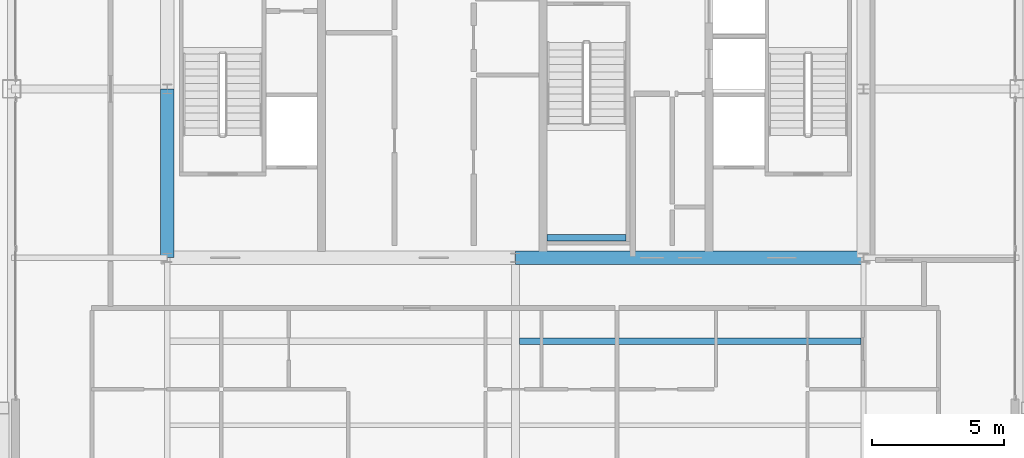
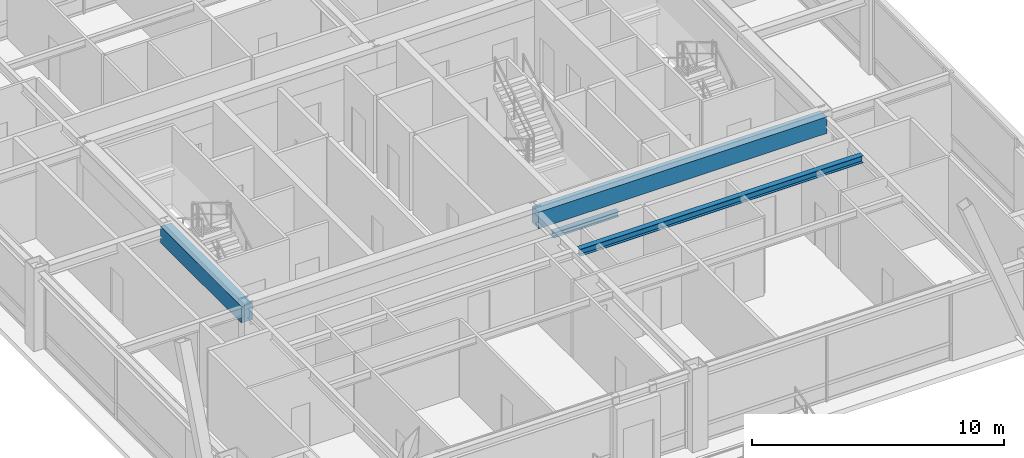
# One storey, part 10 of 35: 4 beams.
"""IFC4 building model written with IfcOpenShell, lengths in metres."""

from ifc_helpers import new_model, si_unit, direction, frame, origin, origin_2d, place, context, subcontext, project, spatial, rectangle, i_section, extrude, source, transform, mapped, material, material_profile, profile_set, type_object, element, save


model = new_model("IFC4")

# Units and contexts
model_context = context("Model", 3, precision=1e-05, world=origin(), true_north=direction((0.0, 1.0)))
body_context = subcontext(model_context, "Body", "Model", "MODEL_VIEW")
ifc_project = project(units=[si_unit("LENGTHUNIT", "METRE"), si_unit("AREAUNIT", "SQUARE_METRE"), si_unit("VOLUMEUNIT", "CUBIC_METRE"), si_unit("PLANEANGLEUNIT", "RADIAN"), si_unit("MASSUNIT", "GRAM", prefix="KILO"), si_unit("THERMODYNAMICTEMPERATUREUNIT", "KELVIN"), si_unit("POWERUNIT", "WATT")], contexts=[model_context])

# Site, building, storey
site_placement = place(None, origin())
site = spatial("IfcSite", under=ifc_project, at=site_placement, CompositionType="ELEMENT")
building_placement = place(site_placement, origin())
building = spatial("IfcBuilding", under=site, at=building_placement, Name="Yuzanri Waterfront Tower", CompositionType="ELEMENT")
storey_placement = place(building_placement, frame((0.0, 0.0, 343.199951171875)))
storey = spatial("IfcBuildingStorey", under=building, at=storey_placement, Name="L92", CompositionType="ELEMENT", Elevation=343.199951171875)

# Beams
ifc_material_1 = material(Name="Concrete C50", Category="concrete")
ifc_material_profile_1 = material_profile(ifc_material_1, rectangle(XDim=0.5, YDim=0.800048828125, at=origin_2d()), Name="RC 500x800")
ifc_profile_set_1 = profile_set([ifc_material_profile_1], Name="Concrete C50")
beam_type_1 = type_object("IfcBeamType", Name="Core Coupling Lintel Concrete C50 500x800", PredefinedType="LINTEL", material=ifc_profile_set_1)
shared_shape_1 = source(origin(), body_context, "Body", "SweptSolid", [
    extrude(rectangle(XDim=0.5, YDim=0.800048828125, at=origin_2d()), origin(), (0.0, 0.0, 1.0), 13.199951171875),
])
beam_1_placement = place(storey_placement, frame((37.0, 19.39990234375, 3.360107421875), z_axis=(1.0, 0.0, 0.0), x_axis=(0.0, 1.0, 0.0)))
element("IfcBeam", 1, at=beam_1_placement, inside=storey, type_object=beam_type_1, Name="L92 Core Tie Beam CS2", PredefinedType="LINTEL", context=body_context, shape_type="MappedRepresentation", body=[
    mapped(shared_shape_1, transform((0.0, 0.0, 0.0), scale=1.0)),
])
shared_shape_2 = source(origin(), body_context, "Body", "SweptSolid", [
    extrude(rectangle(XDim=0.5, YDim=0.800048828125, at=origin_2d()), origin(), (0.0, 0.0, 1.0), 6.400146484375),
])
beam_2_placement = place(storey_placement, frame((23.800048828125, 19.39990234375, 3.360107421875), z_axis=(0.0, 1.0, 0.0), x_axis=(-1.0, 0.0, 0.0)))
element("IfcBeam", 2, at=beam_2_placement, inside=storey, type_object=beam_type_1, Name="L92 Core Tie Beam CW1", PredefinedType="LINTEL", context=body_context, shape_type="MappedRepresentation", body=[
    mapped(shared_shape_2, transform((0.0, 0.0, 0.0), scale=1.0)),
])
ifc_material_2 = material(Name="Steel Q355B", Category="steel")
ifc_material_profile_2 = material_profile(ifc_material_2, i_section(OverallWidth=0.25, OverallDepth=0.340087890625, WebThickness=0.009033203125, FlangeThickness=0.013916015625, at=origin_2d()), Name="HM 340x250x9x14")
ifc_profile_set_2 = profile_set([ifc_material_profile_2], Name="Steel Q355B")
beam_type_2 = type_object("IfcBeamType", Name="Penthouse Floor Girder Q355B HM 340x250", PredefinedType="BEAM", material=ifc_profile_set_2)
shared_shape_3 = source(origin(), body_context, "Body", "SweptSolid", [
    extrude(i_section(OverallWidth=0.25, OverallDepth=0.340087890625, WebThickness=0.009033203125, FlangeThickness=0.013916015625, at=origin_2d()), origin(), (0.0, 0.0, 1.0), 12.9501953125),
])
beam_3_placement = place(storey_placement, frame((37.14990234375, 16.22509765625, 3.590087890625), z_axis=(1.0, 0.0, 0.0), x_axis=(0.0, 1.0, 0.0)))
element("IfcBeam", 3, at=beam_3_placement, inside=storey, type_object=beam_type_2, Name="L92 Penthouse Trim Girder E", PredefinedType="BEAM", context=body_context, shape_type="MappedRepresentation", body=[
    mapped(shared_shape_3, transform((0.0, 0.0, 0.0), scale=1.0)),
])
ifc_material_3 = material(Name="Steel Q355B", Category="steel")
ifc_material_profile_3 = material_profile(ifc_material_3, i_section(OverallWidth=0.25, OverallDepth=0.25, WebThickness=0.009033203125, FlangeThickness=0.013916015625, at=origin_2d()), Name="HW 250x250x9x14")
ifc_profile_set_3 = profile_set([ifc_material_profile_3], Name="Steel Q355B")
beam_type_3 = type_object("IfcBeamType", Name="Stair Landing Support Beam Q355B HW 250x250", PredefinedType="BEAM", material=ifc_profile_set_3)
shared_shape_4 = source(origin(), body_context, "Body", "SweptSolid", [
    extrude(i_section(OverallWidth=0.25, OverallDepth=0.25, WebThickness=0.009033203125, FlangeThickness=0.013916015625, at=origin_2d()), origin(), (0.0, 0.0, 1.0), 3.0),
])
beam_4_placement = place(storey_placement, frame((38.199951171875, 20.14990234375, 1.675048828125), z_axis=(1.0, 0.0, 0.0), x_axis=(0.0, 1.0, 0.0)))
element("IfcBeam", 4, at=beam_4_placement, inside=storey, type_object=beam_type_3, Name="L92 Stair Landing Support Beam ST-03-L92-L1-1", PredefinedType="BEAM", context=body_context, shape_type="MappedRepresentation", body=[
    mapped(shared_shape_4, transform((0.0, 0.0, 0.0), scale=1.0)),
])

save(model, "model.ifc")
